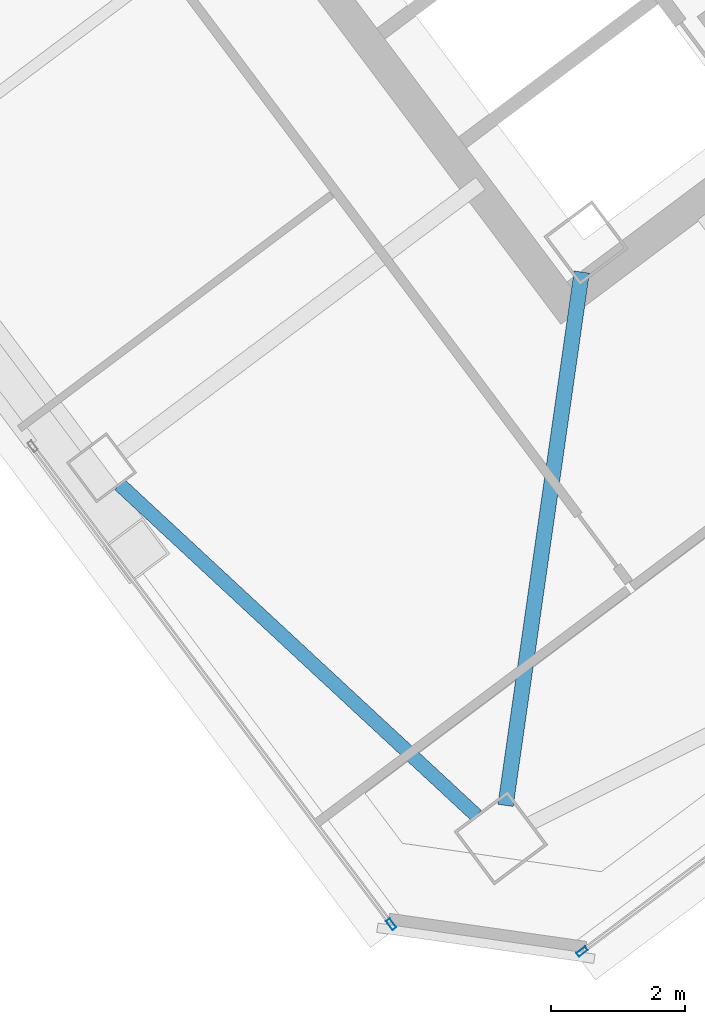
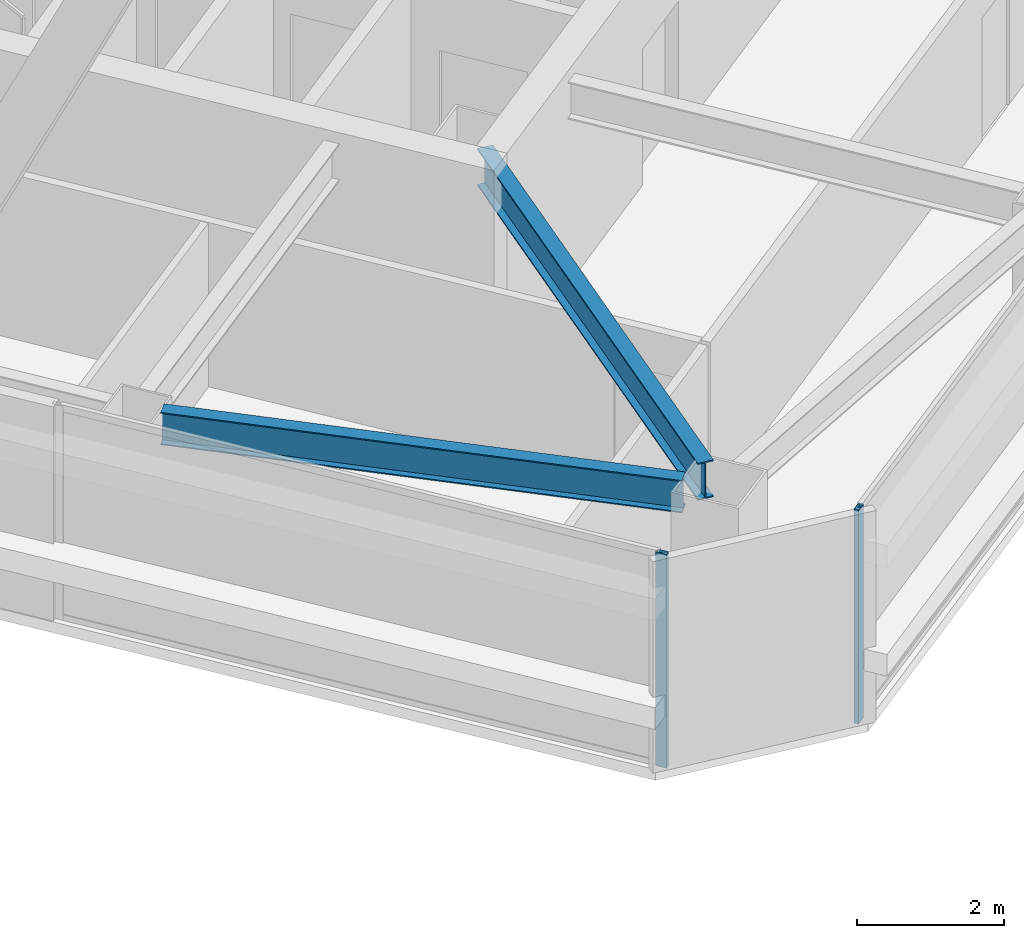
# One storey, part 21 of 47: 2 beams, 2 members, 2 elements without a shape of their own.
"""IFC4 building model written with IfcOpenShell, lengths in metres."""

from ifc_helpers import new_model, si_unit, direction, frame, origin, origin_2d, place, context, subcontext, project, spatial, hollow_rectangle, i_section, extrude, material, material_profile, profile_set, type_object, element, aggregate, save


model = new_model("IFC4")

# Units and contexts
model_context = context("Model", 3, precision=1e-05, world=origin(), true_north=direction((0.0, 1.0)))
body_context = subcontext(model_context, "Body", "Model", "MODEL_VIEW")
ifc_project = project(units=[si_unit("LENGTHUNIT", "METRE"), si_unit("AREAUNIT", "SQUARE_METRE"), si_unit("VOLUMEUNIT", "CUBIC_METRE"), si_unit("PLANEANGLEUNIT", "RADIAN"), si_unit("MASSUNIT", "GRAM", prefix="KILO")], contexts=[model_context])

# Site, building, storey
site_placement = place(None, origin())
site = spatial("IfcSite", under=ifc_project, at=site_placement, CompositionType="ELEMENT")
building_placement = place(site_placement, origin())
building = spatial("IfcBuilding", under=site, at=building_placement, Name="Tashvorn Skyway Center", CompositionType="ELEMENT")
storey_placement = place(building_placement, frame((0.0, 0.0, 204.199951171875)))
storey = spatial("IfcBuildingStorey", under=building, at=storey_placement, Name="L55", CompositionType="ELEMENT", Elevation=204.199951171875)

# Beams
ifc_material_1 = material(Name="Steel ASTM A992 Grade 50", Category="steel")
ifc_material_profile_1 = material_profile(ifc_material_1, i_section(OverallWidth=0.22998046875, OverallDepth=0.616943359375, WebThickness=0.01318359375, FlangeThickness=0.022216796875, at=origin_2d()), Name="W24X94")
ifc_profile_set_1 = profile_set([ifc_material_profile_1], Name="Steel ASTM A992 Grade 50")
beam_type_1 = type_object("IfcBeamType", Name="BM-BEAM-W24X94", PredefinedType="BEAM", material=ifc_profile_set_1)
beam_1_placement = place(storey_placement, frame((111.389892578125, 13.72998046875, 3.0615234375), z_axis=(0.141438360399, 0.989947064346, 0.0), x_axis=(-0.989947064346, 0.141438360399, 0.0)))
element("IfcBeam", 1, at=beam_1_placement, inside=storey, type_object=beam_type_1, Name="Tower 2 L55 Primary Floor Girder MC-SW", PredefinedType="BEAM", context=body_context, shape_type="SweptSolid", body=[
    extrude(i_section(OverallWidth=0.22998046875, OverallDepth=0.616943359375, WebThickness=0.01318359375, FlangeThickness=0.022216796875, at=origin_2d()), origin(), (0.0, 0.0, 1.0), 8.040283203125),
])
ifc_material_profile_2 = material_profile(ifc_material_1, i_section(OverallWidth=0.2109375, OverallDepth=0.5390625, WebThickness=0.01171875, FlangeThickness=0.018798828125, at=origin_2d()), Name="W21X73")
ifc_profile_set_2 = profile_set([ifc_material_profile_2], Name="Steel ASTM A992 Grade 50")
beam_type_2 = type_object("IfcBeamType", Name="BM-SPANDREL-W21X73", PredefinedType="SPANDREL", material=ifc_profile_set_2)
beam_2_placement = place(storey_placement, frame((105.63134765625, 18.518310546875, 3.1005859375), z_axis=(0.733042389989, -0.680182956622, 0.0), x_axis=(0.680182956622, 0.733042389989, 0.0)))
element("IfcBeam", 2, at=beam_2_placement, inside=storey, type_object=beam_type_2, Name="Tower 2 L55 Spandrel Beam 12", PredefinedType="SPANDREL", context=body_context, shape_type="SweptSolid", body=[
    extrude(i_section(OverallWidth=0.2109375, OverallDepth=0.5390625, WebThickness=0.01171875, FlangeThickness=0.018798828125, at=origin_2d()), origin(), (0.0, 0.0, 1.0), 7.26513671875),
])

# Curtain wall, member
ifc_material_2 = material(Name="Thermally broken bronze-anodized aluminium 6063-T6", Category="aluminium")
curtain_wall_type = type_object("IfcCurtainWallType", Name="CW-CW-Z5", PredefinedType="NOTDEFINED", material=ifc_material_2)
curtain_wall_1_placement = place(storey_placement, origin())
curtain_wall_1 = element("IfcCurtainWall", 3, at=curtain_wall_1_placement, inside=storey, type_object=curtain_wall_type, Name="Tower 2 L55 South Unitised Curtain Wall Glazing Group 2", PredefinedType="NOTDEFINED")
ifc_material_profile_3 = material_profile(ifc_material_2, hollow_rectangle(XDim=0.070068359375, YDim=0.1650390625, WallThickness=0.00390625, at=origin_2d()), Name="ALU-MULL-70x165")
ifc_profile_set_3 = profile_set([ifc_material_profile_3], Name="Thermally broken bronze-anodized aluminium 6063-T6")
member_type = type_object("IfcMemberType", Name="CWM-CW-Z5", PredefinedType="MULLION", material=ifc_profile_set_3)
member_1_placement = place(storey_placement, frame((112.531982421875, 11.549072265625, 0.0), z_axis=(0.0, 0.0, 1.0), x_axis=(0.600001780418, -0.799998664683, 0.0)))
member_1 = element("IfcMember", 4, at=member_1_placement, type_object=member_type, Name="CW-Z5 mullion 2", PredefinedType="MULLION", context=body_context, shape_type="SweptSolid", body=[
    extrude(hollow_rectangle(XDim=0.070068359375, YDim=0.1650390625, WallThickness=0.00390625, at=origin_2d()), origin(), (0.0, 0.0, 1.0), 3.550048828125),
])
aggregate(curtain_wall_1, [member_1])

curtain_wall_2_placement = place(storey_placement, origin())
curtain_wall_2 = element("IfcCurtainWall", 5, at=curtain_wall_2_placement, inside=storey, type_object=curtain_wall_type, Name="Tower 2 L55 West Unitised Curtain Wall Glazing Group 1", PredefinedType="NOTDEFINED")
member_2_placement = place(storey_placement, frame((109.68310546875, 11.9560546875, 0.0), z_axis=(0.0, 0.0, 1.0), x_axis=(-0.799998664683, -0.600001780418, 0.0)))
member_2 = element("IfcMember", 6, at=member_2_placement, type_object=member_type, Name="CW-Z5 mullion 1", PredefinedType="MULLION", context=body_context, shape_type="SweptSolid", body=[
    extrude(hollow_rectangle(XDim=0.070068359375, YDim=0.1650390625, WallThickness=0.00390625, at=origin_2d()), origin(), (0.0, 0.0, 1.0), 3.550048828125),
])
aggregate(curtain_wall_2, [member_2])

save(model, "model.ifc")
